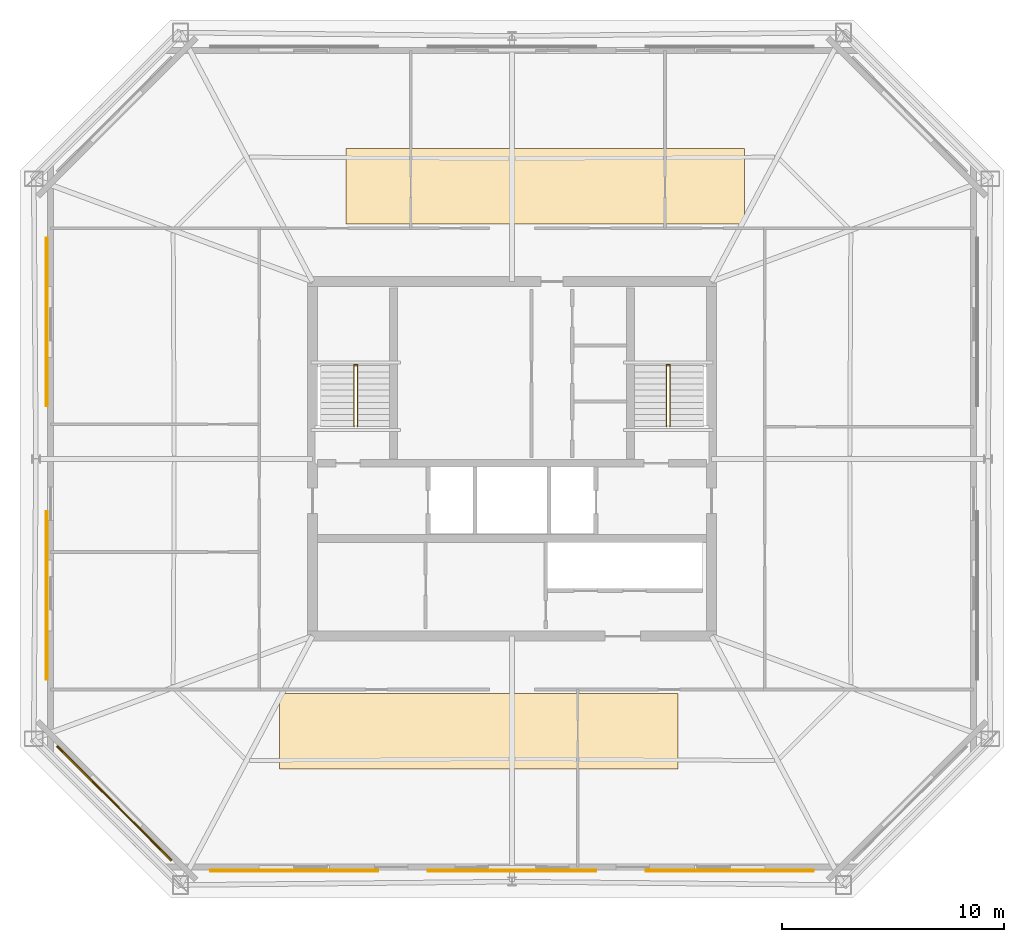
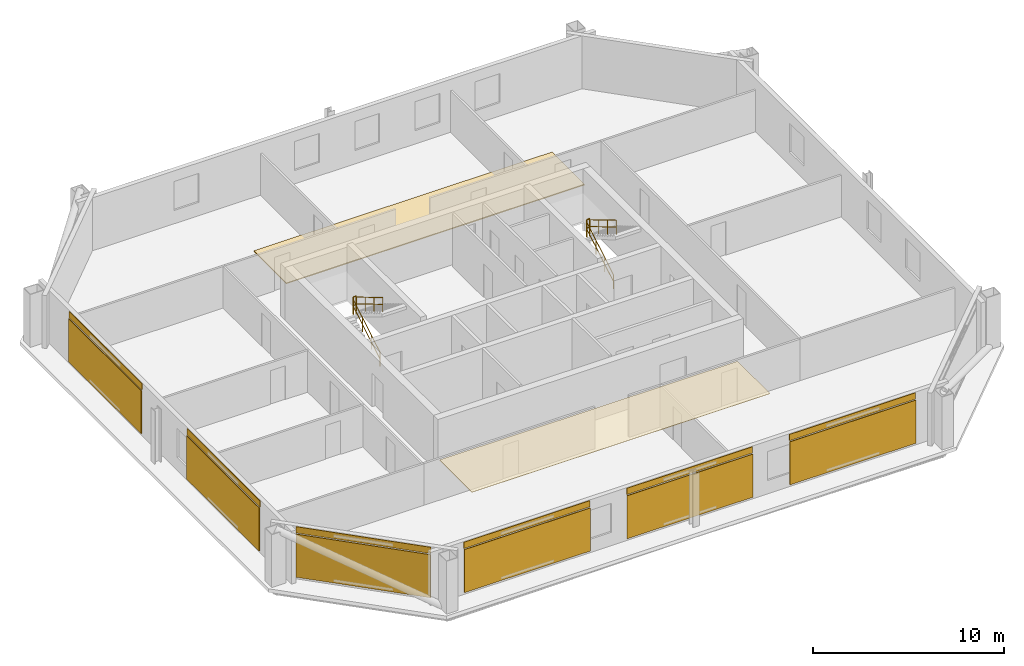
# One storey, part 5 of 6: 8 coverings, 6 railings, 6 shading devices.
"""IFC4 building model written with IfcOpenShell, lengths in metres."""

from ifc_helpers import new_model, si_unit, direction, frame, origin, origin_2d, place, context, subcontext, project, spatial, polyline, rectangle, circle, outline, extrude, material, layer, layer_set, type_object, element, save


model = new_model("IFC4")

# Units and contexts
model_context = context("Model", 3, precision=1e-05, world=origin(), true_north=direction((0.0, 1.0)))
body_context = subcontext(model_context, "Body", "Model", "MODEL_VIEW")
ifc_project = project(units=[si_unit("LENGTHUNIT", "METRE"), si_unit("AREAUNIT", "SQUARE_METRE"), si_unit("VOLUMEUNIT", "CUBIC_METRE"), si_unit("PLANEANGLEUNIT", "RADIAN"), si_unit("MASSUNIT", "GRAM", prefix="KILO")], contexts=[model_context])

# Site, building, storey
site_placement = place(None, origin())
site = spatial("IfcSite", under=ifc_project, at=site_placement, CompositionType="ELEMENT")
building_placement = place(site_placement, origin())
building = spatial("IfcBuilding", under=site, at=building_placement, Name="Caelvoria Tower", CompositionType="ELEMENT")
storey_placement = place(building_placement, frame((0.0, 0.0, 202.199951171875)))
storey = spatial("IfcBuildingStorey", under=building, at=storey_placement, Name="L53", CompositionType="ELEMENT", Elevation=202.199951171875)

# Coverings
ifc_material_1 = material(Name="Acoustic Mineral Fibre Tile", Category="gypsum")
ifc_layer_1 = layer(ifc_material_1, 0.02490234375, Name="Acoustic Mineral Fibre Tile")
ifc_layer_set_1 = layer_set([ifc_layer_1], Name="Mineral-Fibre Acoustic Suspended Ceiling 25 - Acoustic Mineral Fibre Tile")
covering_type_1 = type_object("IfcCoveringType", Name="Mineral-Fibre Acoustic Suspended Ceiling 25", PredefinedType="CEILING", material=ifc_layer_set_1)
covering_1_placement = place(storey_placement, frame((0.0, 0.0, 2.650146484375)))
element("IfcCovering", 1, at=covering_1_placement, inside=storey, type_object=covering_type_1, Name="Suspended Acoustic Ceiling L53", PredefinedType="CEILING", context=body_context, shape_type="SweptSolid", body=[
    extrude(outline(polyline([(35.5, 18.0), (53.5, 18.0), (53.5, 21.39990234375), (35.5, 21.39990234375), (35.5, 18.0)])), origin(), (0.0, 0.0, 1.0), 0.02490234375),
])
ifc_material_2 = material(Name="Perforated Architectural Bronze Cladding Screen", Category="bronze")
ifc_layer_2 = layer(ifc_material_2, 0.0400390625, Name="Perforated Architectural Bronze Cladding Screen")
ifc_layer_set_2 = layer_set([ifc_layer_2], Name="Perforated Bronze Louvre Cladding Band 40 - Perforated Architectural Bronze Cladding Screen")
covering_type_2 = type_object("IfcCoveringType", Name="Perforated Bronze Louvre Cladding Band 40", PredefinedType="CLADDING", material=ifc_layer_set_2)
for number, where, z_axis, x_axis, name in (
    (2, (36.17333984375, 13.435546875, 2.955078125), (0.0, 0.0, 1.0), (1.0, 0.0, 0.0), "Perforated Bronze Screen Band L53-E0-00"),
    (3, (46.0, 13.435546875, 2.955078125), (0.0, 0.0, 1.0), (1.0, 0.0, 0.0), "Perforated Bronze Screen Band L53-E0-01"),
    (4, (55.82666015625, 13.435546875, 2.955078125), (0.0, 0.0, 1.0), (1.0, 0.0, 0.0), "Perforated Bronze Screen Band L53-E0-02"),
    (5, (25.035400390625, 38.169921875, 2.955078125), (0.0, 0.0, 1.0), (0.0, -1.0, 0.0), "Perforated Bronze Screen Band L53-E6-00"),
    (6, (25.035400390625, 25.830078125, 2.955078125), (0.0, 0.0, 1.0), (0.0, -1.0, 0.0), "Perforated Bronze Screen Band L53-E6-01"),
):
    element("IfcCovering", number, at=place(storey_placement, frame(where, z_axis=z_axis, x_axis=x_axis)), inside=storey, type_object=covering_type_2, Name=name, PredefinedType="CLADDING", context=body_context, shape_type="SweptSolid", body=[
        extrude(rectangle(XDim=7.60009765625, YDim=0.0400390625, at=origin_2d()), origin(), (0.0, 0.0, 1.0), 0.39990234375),
    ])
covering_2_placement = place(storey_placement, frame((28.073486328125, 16.4736328125, 2.955078125), z_axis=(0.0, 0.0, 1.0), x_axis=(0.707106781187, -0.707106781187, 0.0)))
element("IfcCovering", 7, at=covering_2_placement, inside=storey, type_object=covering_type_2, Name="Perforated Bronze Screen Band L53-E7-00", PredefinedType="CLADDING", context=body_context, shape_type="SweptSolid", body=[
    extrude(rectangle(XDim=7.301025390625, YDim=0.0400390625, at=origin_2d()), origin(), (0.0, 0.0, 1.0), 0.39990234375),
])

# Shading devices
ifc_material_3 = material(Name="Perforated Architectural Bronze Alloy Panel", Category="bronze")
ifc_layer_3 = layer(ifc_material_3, 0.044921875, Name="Perforated Architectural Bronze Alloy Panel")
ifc_layer_set_3 = layer_set([ifc_layer_3], Name="Perforated Bronze Solar Screen Panel SCREEN - Perforated Architectural Bronze Alloy Panel")
shading_device_type = type_object("IfcShadingDeviceType", Name="Perforated Bronze Solar Screen Panel SCREEN", PredefinedType="USERDEFINED", material=ifc_layer_set_3)
for number, where, z_axis, x_axis, name in (
    (8, (36.17333984375, 13.392578125, 0.16015625), (0.0, 0.0, 1.0), (1.0, 0.0, 0.0), "Perforated Bronze Solar Screen L53-E0-00"),
    (9, (46.0, 13.392578125, 0.16015625), (0.0, 0.0, 1.0), (1.0, 0.0, 0.0), "Perforated Bronze Solar Screen L53-E0-01"),
    (10, (55.82666015625, 13.392578125, 0.16015625), (0.0, 0.0, 1.0), (1.0, 0.0, 0.0), "Perforated Bronze Solar Screen L53-E0-02"),
    (11, (24.992431640625, 38.169921875, 0.16015625), (0.0, 0.0, 1.0), (0.0, -1.0, 0.0), "Perforated Bronze Solar Screen L53-E6-00"),
    (12, (24.992431640625, 25.830078125, 0.16015625), (0.0, 0.0, 1.0), (0.0, -1.0, 0.0), "Perforated Bronze Solar Screen L53-E6-01"),
):
    element("IfcShadingDevice", number, at=place(storey_placement, frame(where, z_axis=z_axis, x_axis=x_axis)), inside=storey, type_object=shading_device_type, Name=name, ObjectType="SCREEN", PredefinedType="USERDEFINED", context=body_context, shape_type="SweptSolid", body=[
        extrude(rectangle(XDim=7.60009765625, YDim=0.044921875, at=origin_2d()), origin(), (0.0, 0.0, 1.0), 2.75),
    ])
shading_device_placement = place(storey_placement, frame((28.043212890625, 16.443115234375, 0.16015625), z_axis=(0.0, 0.0, 1.0), x_axis=(0.707106781187, -0.707106781187, 0.0)))
element("IfcShadingDevice", 13, at=shading_device_placement, inside=storey, type_object=shading_device_type, Name="Perforated Bronze Solar Screen L53-E7-00", ObjectType="SCREEN", PredefinedType="USERDEFINED", context=body_context, shape_type="SweptSolid", body=[
    extrude(rectangle(XDim=7.301025390625, YDim=0.044921875, at=origin_2d()), origin(), (0.0, 0.0, 1.0), 2.75),
])

# Covering
ifc_material_4 = material(Name="Calcium-Sulphate Raised Floor Tile", Category="gypsum")
ifc_layer_4 = layer(ifc_material_4, 0.06005859375, Name="Calcium-Sulphate Raised Floor Tile")
ifc_layer_set_4 = layer_set([ifc_layer_4], Name="Raised Access Office Floor System 120 - Calcium-Sulphate Raised Floor Tile")
covering_type_3 = type_object("IfcCoveringType", Name="Raised Access Office Floor System 120", PredefinedType="FLOORING", material=ifc_layer_set_4)
covering_3_placement = place(storey_placement, origin())
element("IfcCovering", 14, at=covering_3_placement, inside=storey, type_object=covering_type_3, Name="Raised Access Flooring L53", PredefinedType="FLOORING", context=body_context, shape_type="SweptSolid", body=[
    extrude(outline(polyline([(38.5, 42.60009765625), (56.5, 42.60009765625), (56.5, 46.0), (38.5, 46.0), (38.5, 42.60009765625)])), origin(), (0.0, 0.0, 1.0), 0.06005859375),
])

# Railings
ifc_material_5 = material(Name="Brushed Stainless Steel Tube", Category="steel")
railing_type_1 = type_object("IfcRailingType", Name="Stair Tubular Stainless Handrail 920", PredefinedType="HANDRAIL", material=ifc_material_5)
railing_1_placement = place(storey_placement, frame((38.8701171875, 33.449951171875, 0.16357421875)))
element("IfcRailing", 15, at=railing_1_placement, inside=storey, type_object=railing_type_1, Name="ST-01 Flight 1 Handrail L53", PredefinedType="HANDRAIL", context=body_context, shape_type="SweptSolid", body=[
    extrude(circle(Radius=0.02392578125, at=origin_2d()), frame((0.0, 0.0, 0.89599609375), z_axis=(0.0, 0.859351957796, 0.511384603436), x_axis=(-1.0, 0.0, 0.0)), (0.0, 0.0, 1.0), 3.2001953125),
    extrude(circle(Radius=0.02392578125, at=origin_2d()), frame((0.0, 0.0, 0.4599609375), z_axis=(0.0, 0.859351957796, 0.511384603436), x_axis=(-1.0, 0.0, 0.0)), (0.0, 0.0, 1.0), 3.2001953125),
    extrude(circle(Radius=0.02099609375, at=origin_2d()), origin(), (0.0, 0.0, 1.0), 0.871826171875),
    extrude(circle(Radius=0.02099609375, at=origin_2d()), frame((0.0, 0.916748046875, 0.54541015625)), (0.0, 0.0, 1.0), 0.871826171875),
    extrude(circle(Radius=0.02099609375, at=origin_2d()), frame((0.0, 1.833251953125, 1.091064453125)), (0.0, 0.0, 1.0), 0.871826171875),
    extrude(circle(Radius=0.02099609375, at=origin_2d()), frame((0.0, 2.75, 1.636474609375)), (0.0, 0.0, 1.0), 0.871826171875),
])
railing_2_placement = place(storey_placement, frame((39.030029296875, 36.199951171875, 1.963623046875)))
element("IfcRailing", 16, at=railing_2_placement, inside=storey, type_object=railing_type_1, Name="ST-01 Flight 2 Handrail L53", PredefinedType="HANDRAIL", context=body_context, shape_type="SweptSolid", body=[
    extrude(circle(Radius=0.02392578125, at=origin_2d()), frame((0.0, 0.0, 0.89599609375), z_axis=(0.0, -0.859351957796, 0.511384603436), x_axis=(1.0, 0.0, 0.0)), (0.0, 0.0, 1.0), 3.2001953125),
    extrude(circle(Radius=0.02392578125, at=origin_2d()), frame((0.0, 0.0, 0.4599609375), z_axis=(0.0, -0.859351957796, 0.511384603436), x_axis=(1.0, 0.0, 0.0)), (0.0, 0.0, 1.0), 3.2001953125),
    extrude(circle(Radius=0.02099609375, at=origin_2d()), origin(), (0.0, 0.0, 1.0), 0.871826171875),
    extrude(circle(Radius=0.02099609375, at=origin_2d()), frame((0.0, -0.916748046875, 0.54541015625)), (0.0, 0.0, 1.0), 0.871826171875),
    extrude(circle(Radius=0.02099609375, at=origin_2d()), frame((0.0, -1.833251953125, 1.091064453125)), (0.0, 0.0, 1.0), 0.871826171875),
    extrude(circle(Radius=0.02099609375, at=origin_2d()), frame((0.0, -2.75, 1.636474609375)), (0.0, 0.0, 1.0), 0.871826171875),
])
railing_3_placement = place(storey_placement, frame((52.969970703125, 33.449951171875, 0.16357421875)))
element("IfcRailing", 17, at=railing_3_placement, inside=storey, type_object=railing_type_1, Name="ST-02 Flight 1 Handrail L53", PredefinedType="HANDRAIL", context=body_context, shape_type="SweptSolid", body=[
    extrude(circle(Radius=0.02392578125, at=origin_2d()), frame((0.0, 0.0, 0.89599609375), z_axis=(0.0, 0.859351957796, 0.511384603436), x_axis=(-1.0, 0.0, 0.0)), (0.0, 0.0, 1.0), 3.2001953125),
    extrude(circle(Radius=0.02392578125, at=origin_2d()), frame((0.0, 0.0, 0.4599609375), z_axis=(0.0, 0.859351957796, 0.511384603436), x_axis=(-1.0, 0.0, 0.0)), (0.0, 0.0, 1.0), 3.2001953125),
    extrude(circle(Radius=0.02099609375, at=origin_2d()), origin(), (0.0, 0.0, 1.0), 0.871826171875),
    extrude(circle(Radius=0.02099609375, at=origin_2d()), frame((0.0, 0.916748046875, 0.54541015625)), (0.0, 0.0, 1.0), 0.871826171875),
    extrude(circle(Radius=0.02099609375, at=origin_2d()), frame((0.0, 1.833251953125, 1.091064453125)), (0.0, 0.0, 1.0), 0.871826171875),
    extrude(circle(Radius=0.02099609375, at=origin_2d()), frame((0.0, 2.75, 1.636474609375)), (0.0, 0.0, 1.0), 0.871826171875),
])
railing_4_placement = place(storey_placement, frame((53.1298828125, 36.199951171875, 1.963623046875)))
element("IfcRailing", 18, at=railing_4_placement, inside=storey, type_object=railing_type_1, Name="ST-02 Flight 2 Handrail L53", PredefinedType="HANDRAIL", context=body_context, shape_type="SweptSolid", body=[
    extrude(circle(Radius=0.02392578125, at=origin_2d()), frame((0.0, 0.0, 0.89599609375), z_axis=(0.0, -0.859351957796, 0.511384603436), x_axis=(1.0, 0.0, 0.0)), (0.0, 0.0, 1.0), 3.2001953125),
    extrude(circle(Radius=0.02392578125, at=origin_2d()), frame((0.0, 0.0, 0.4599609375), z_axis=(0.0, -0.859351957796, 0.511384603436), x_axis=(1.0, 0.0, 0.0)), (0.0, 0.0, 1.0), 3.2001953125),
    extrude(circle(Radius=0.02099609375, at=origin_2d()), origin(), (0.0, 0.0, 1.0), 0.871826171875),
    extrude(circle(Radius=0.02099609375, at=origin_2d()), frame((0.0, -0.916748046875, 0.54541015625)), (0.0, 0.0, 1.0), 0.871826171875),
    extrude(circle(Radius=0.02099609375, at=origin_2d()), frame((0.0, -1.833251953125, 1.091064453125)), (0.0, 0.0, 1.0), 0.871826171875),
    extrude(circle(Radius=0.02099609375, at=origin_2d()), frame((0.0, -2.75, 1.636474609375)), (0.0, 0.0, 1.0), 0.871826171875),
])
ifc_material_6 = material(Name="Brushed Stainless Steel Guardrail", Category="steel")
railing_type_2 = type_object("IfcRailingType", Name="Stair Well and Ramp Guardrail 1120", PredefinedType="GUARDRAIL", material=ifc_material_6)
for number, where, name in (
    (19, (38.8701171875, 36.239990234375, 1.800048828125), "ST-01 Half-Landing Well Guard L53"),
    (20, (52.969970703125, 36.239990234375, 1.800048828125), "ST-02 Half-Landing Well Guard L53"),
):
    element("IfcRailing", number, at=place(storey_placement, frame(where)), inside=storey, type_object=railing_type_2, Name=name, PredefinedType="GUARDRAIL", context=body_context, shape_type="SweptSolid", body=[
        extrude(circle(Radius=0.02392578125, at=origin_2d()), frame((0.0, 0.0, 1.09619140625), z_axis=(1.0, 0.0, 0.0), x_axis=(0.0, 1.0, 0.0)), (0.0, 0.0, 1.0), 0.159912109375),
        extrude(circle(Radius=0.02392578125, at=origin_2d()), frame((0.0, 0.0, 0.56005859375), z_axis=(1.0, 0.0, 0.0), x_axis=(0.0, 1.0, 0.0)), (0.0, 0.0, 1.0), 0.159912109375),
        extrude(circle(Radius=0.02099609375, at=origin_2d()), origin(), (0.0, 0.0, 1.0), 1.072021484375),
        extrude(circle(Radius=0.02099609375, at=origin_2d()), frame((0.159912109375, 0.0, 0.0)), (0.0, 0.0, 1.0), 1.072021484375),
    ])

save(model, "model.ifc")
